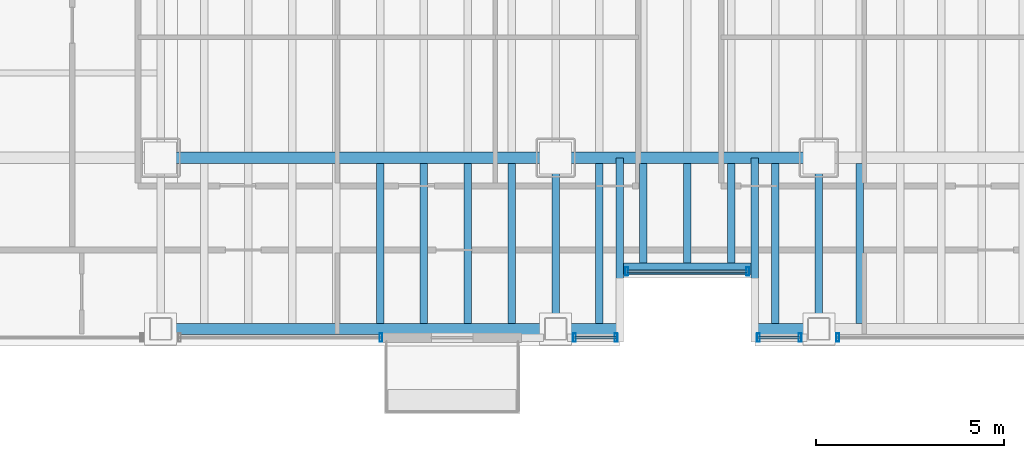
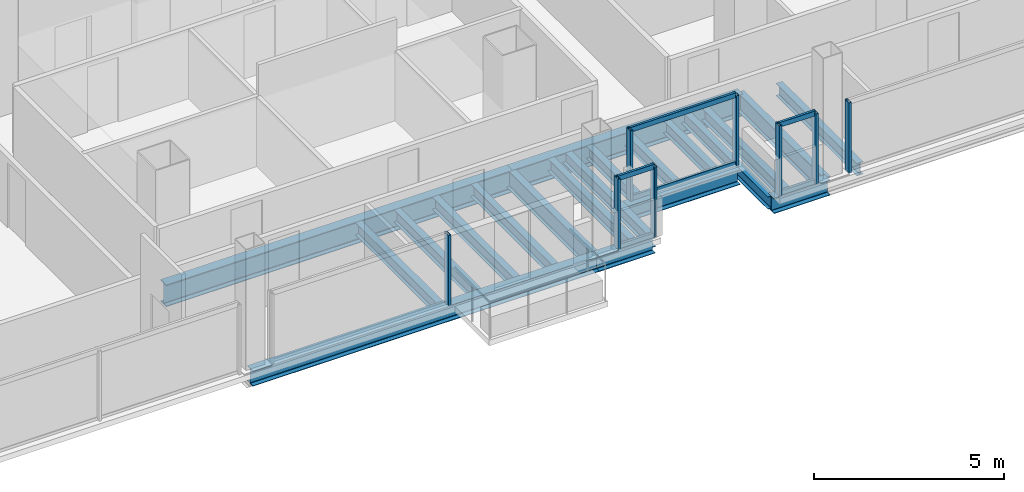
# One storey, part 4 of 21: 20 beams, 14 members, 5 elements without a shape of their own.
"""IFC4 building model written with IfcOpenShell, lengths in metres."""

import ifcopenshell
import ifcopenshell.guid

model = None  # the IFC model being written
_history = None  # IfcOwnerHistory: only IFC2X3 demands one
_inside = {}  # id of a spatial element -> (the spatial element, [elements in it])
_under = {}  # id of a project, library or spatial element -> (it, [spatial elements below it])
_declared = {}  # id of a project -> (the project, [libraries it declares])
_typed = {}  # id of a type object -> (the type object, [elements of that type])
_made_of = {}  # id of a material, layer set ... -> (it, [elements and type objects made of it])


def new_model(schema):
    """Start an empty IFC model of exactly this schema.

    Asked for "IFC4X3", IfcOpenShell would pick the latest addendum, in which some entities
    have other attributes; the version numbers below select the first issue.
    IFC2X3 requires an IfcOwnerHistory on every rooted entity: one is made here for all.
    """
    global model, _history
    if schema == "IFC4X3":
        model = ifcopenshell.file(schema_version=(4, 3, 0, 0))
    else:
        model = ifcopenshell.file(schema=schema)
    _inside.clear()
    _under.clear()
    _declared.clear()
    _typed.clear()
    _made_of.clear()
    _history = None
    if model.schema == "IFC2X3":
        org = make("IfcOrganization", Name="unknown")
        user = make(
            "IfcPersonAndOrganization",
            ThePerson=make("IfcPerson", FamilyName="unknown"),
            TheOrganization=org,
        )
        app = make(
            "IfcApplication",
            ApplicationDeveloper=org,
            Version="unknown",
            ApplicationFullName="unknown",
            ApplicationIdentifier="unknown",
        )
        _history = make(
            "IfcOwnerHistory",
            OwningUser=user,
            OwningApplication=app,
            ChangeAction="ADDED",
            CreationDate=0,
        )
    return model


def make(cls, **values):
    """One entity of the class cls with the attributes given. An attribute that is None is left unset."""
    return model.create_entity(
        cls, **{name: value for name, value in values.items() if value is not None}
    )


def rooted(cls, **values):
    """An entity with a GlobalId (a new one), such as an element, a storey or a relation."""
    return make(cls, GlobalId=ifcopenshell.guid.new(), OwnerHistory=_history, **values)


def si_unit(unit_type, name, prefix=None):
    """IfcSIUnit, for example si_unit("LENGTHUNIT", "METRE", prefix="MILLI")."""
    return make("IfcSIUnit", UnitType=unit_type, Prefix=prefix, Name=name)


def assignment(units):
    """IfcUnitAssignment: the units of a project."""
    return None if units is None else make("IfcUnitAssignment", Units=units)


def point(xyz):
    """IfcCartesianPoint."""
    return None if xyz is None else make("IfcCartesianPoint", Coordinates=xyz)


def direction(xyz):
    """IfcDirection."""
    return None if xyz is None else make("IfcDirection", DirectionRatios=xyz)


def frame(location, z_axis=None, x_axis=None):
    """IfcAxis2Placement3D, a coordinate frame: its origin and axes. An axis left out is left unset."""
    return make(
        "IfcAxis2Placement3D",
        Location=point(location),
        Axis=direction(z_axis),
        RefDirection=direction(x_axis),
    )


def frame_2d(location, x_axis=None):
    """IfcAxis2Placement2D, a coordinate frame in the plane: its origin and x axis."""
    return make(
        "IfcAxis2Placement2D", Location=point(location), RefDirection=direction(x_axis)
    )


def origin():
    """The frame at (0, 0, 0) with its axes left unset."""
    return frame((0.0, 0.0, 0.0))


def origin_2d():
    """The frame at (0, 0) in the plane with its x axis left unset."""
    return frame_2d((0.0, 0.0))


def place(relative_to, where):
    """IfcLocalPlacement: puts the frame where relative to a parent placement (None: the world)."""
    return make(
        "IfcLocalPlacement", PlacementRelTo=relative_to, RelativePlacement=where
    )


def context(
    kind, dimensions, precision=None, world=None, true_north=None, identifier=None
):
    """IfcGeometricRepresentationContext, for example the 3D "Model" context."""
    return make(
        "IfcGeometricRepresentationContext",
        ContextIdentifier=identifier,
        ContextType=kind,
        CoordinateSpaceDimension=dimensions,
        Precision=precision,
        WorldCoordinateSystem=world,
        TrueNorth=true_north,
    )


def subcontext(parent, identifier, kind, view, scale=None):
    """IfcGeometricRepresentationSubContext, for example "Body" below "Model"."""
    return make(
        "IfcGeometricRepresentationSubContext",
        ContextIdentifier=identifier,
        ContextType=kind,
        ParentContext=parent,
        TargetScale=scale,
        TargetView=view,
    )


def project(units=None, contexts=None):
    """IfcProject with its units and contexts."""
    return rooted(
        "IfcProject",
        Name="project",
        RepresentationContexts=contexts,
        UnitsInContext=assignment(units),
    )


def spatial(cls, under=None, at=None, **own):
    """A site, building, storey or space (cls), placed at a placement, below another one or the project."""
    s = rooted(cls, ObjectPlacement=at, **own)
    if under is not None:
        _under.setdefault(under.id(), (under, []))[1].append(s)
    return s


def profile(cls, at=None, kind="AREA", **sizes):
    """A parametric profile (cls). Its sizes go by their IFC names, for example OverallWidth=200.0."""
    return make(cls, ProfileType=kind, Position=at, **sizes)


def hollow_rectangle(**sizes):
    """IfcRectangleHollowProfileDef."""
    return profile("IfcRectangleHollowProfileDef", **sizes)


def i_section(**sizes):
    """IfcIShapeProfileDef."""
    return profile("IfcIShapeProfileDef", **sizes)


def extrude(swept, where, along, depth):
    """IfcExtrudedAreaSolid: the profile swept, set in the frame where, extruded along a direction by depth."""
    return make(
        "IfcExtrudedAreaSolid",
        SweptArea=swept,
        Position=where,
        ExtrudedDirection=direction(along),
        Depth=depth,
    )


def shape(context_of_items, identifier, shape_type, items):
    """IfcShapeRepresentation: the items that make up one representation, for example the "Body"."""
    return make(
        "IfcShapeRepresentation",
        ContextOfItems=context_of_items,
        RepresentationIdentifier=identifier,
        RepresentationType=shape_type,
        Items=items,
    )


def material(Name=None, Category=None):
    """IfcMaterial."""
    return make("IfcMaterial", Name=Name, Category=Category)


def material_profile(
    of_material, cross_section, Name=None, Category=None, Priority=None
):
    """IfcMaterialProfile: a cross section and its material."""
    return make(
        "IfcMaterialProfile",
        Name=Name,
        Material=of_material,
        Profile=cross_section,
        Priority=Priority,
        Category=Category,
    )


def profile_set(profiles, Name=None, composite=None):
    """IfcMaterialProfileSet."""
    return make(
        "IfcMaterialProfileSet",
        Name=Name,
        MaterialProfiles=profiles,
        CompositeProfile=composite,
    )


def made_of(thing, what):
    """Note that an element or type object is made of a material, layer set ...; save() writes the relation."""
    if what is not None:
        _made_of.setdefault(what.id(), (what, []))[1].append(thing)
    return thing


def type_object(cls, material=None, **own):
    """A type object (cls), such as IfcWallType, which elements share."""
    return made_of(rooted(cls, **own), material)


def element(
    cls,
    number,
    at=None,
    inside=None,
    cuts=None,
    type_object=None,
    material=None,
    context=None,
    identifier="Body",
    shape_type=None,
    held_by="IfcProductDefinitionShape",
    body=None,
    shapes=None,
    **own,
):
    """One element of the class cls, such as IfcWall. Its Tag is "e" and its number.

    at: its placement. inside: the storey or other place that contains it. cuts: it is an
    opening in that element (IfcRelVoidsElement). A single representation is given by context,
    identifier, shape_type and body (its items); several are given by shapes. held_by: the class
    of the entity that holds the representations. save() writes the other relations.
    """
    e = rooted(cls, Tag="e%d" % number, ObjectPlacement=at, **own)
    if body is not None:
        shapes = [shape(context, identifier, shape_type, body)]
    if shapes is not None:
        e.Representation = make(held_by, Representations=shapes)
    if inside is not None:
        _inside.setdefault(inside.id(), (inside, []))[1].append(e)
    if cuts is not None:
        rooted(
            "IfcRelVoidsElement", RelatingBuildingElement=cuts, RelatedOpeningElement=e
        )
    if type_object is not None:
        _typed.setdefault(type_object.id(), (type_object, []))[1].append(e)
    return made_of(e, material)


def aggregate(whole, parts):
    """IfcRelAggregates: a whole, such as a stair, and the parts it consists of."""
    return rooted("IfcRelAggregates", RelatingObject=whole, RelatedObjects=parts)


def save(model, path):
    """Write the relations noted so far, then the file.

    IfcRelAggregates (storeys below a building ...), IfcRelContainedInSpatialStructure (elements
    in a storey), IfcRelDefinesByType, IfcRelAssociatesMaterial and IfcRelDeclares: one each for
    every whole, place, type object, material and project.
    """
    for whole, parts in _under.values():
        aggregate(whole, parts)
    for where, things in _inside.values():
        rooted(
            "IfcRelContainedInSpatialStructure",
            RelatedElements=things,
            RelatingStructure=where,
        )
    for kind, things in _typed.values():
        rooted("IfcRelDefinesByType", RelatedObjects=things, RelatingType=kind)
    for what, things in _made_of.values():
        rooted("IfcRelAssociatesMaterial", RelatedObjects=things, RelatingMaterial=what)
    for by, libraries in _declared.values():
        rooted("IfcRelDeclares", RelatingContext=by, RelatedDefinitions=libraries)
    model.write(path)


model = new_model("IFC4")

# Units and contexts
model_context = context("Model", 3, precision=1e-05, world=origin(), true_north=direction((0.0, 1.0)))
body_context = subcontext(model_context, "Body", "Model", "MODEL_VIEW")
ifc_project = project(units=[si_unit("LENGTHUNIT", "METRE"), si_unit("AREAUNIT", "SQUARE_METRE"), si_unit("VOLUMEUNIT", "CUBIC_METRE"), si_unit("PLANEANGLEUNIT", "RADIAN"), si_unit("MASSUNIT", "GRAM", prefix="KILO")], contexts=[model_context])

# Site, building, storey
site_placement = place(None, origin())
site = spatial("IfcSite", under=ifc_project, at=site_placement, CompositionType="ELEMENT")
building_placement = place(site_placement, origin())
building = spatial("IfcBuilding", under=site, at=building_placement, Name="Noeulbin Bourse Tower", CompositionType="ELEMENT")
storey_placement = place(building_placement, frame((0.0, 0.0, 49.89990234375)))
storey = spatial("IfcBuildingStorey", under=building, at=storey_placement, Name="L12", CompositionType="ELEMENT", Elevation=49.89990234375)

# Beams
ifc_material_1 = material(Name="Steel S355", Category="steel")
ifc_material_profile_1 = material_profile(ifc_material_1, i_section(OverallWidth=0.199951171875, OverallDepth=0.60009765625, WebThickness=0.010986328125, FlangeThickness=0.01708984375, FilletRadius=0.02197265625, at=origin_2d()), Name="H-600x200x11x17", Category="LoadBearing")
ifc_profile_set_1 = profile_set([ifc_material_profile_1], Name="Steel S355")
beam_type_1 = type_object("IfcBeamType", Name="BM-GRD-600", PredefinedType="USERDEFINED", material=ifc_profile_set_1)
for number, where, z_axis, x_axis, name in (
    (1, (24.0, 15.449951171875, -0.47998046875), (0.0, 1.0, 0.0), (-1.0, 0.0, 0.0), "Tower Primary Girder NS L12-2.1"),
    (2, (31.0, 15.449951171875, -0.47998046875), (0.0, 1.0, 0.0), (-1.0, 0.0, 0.0), "Tower Primary Girder NS L12-3.1"),
):
    element("IfcBeam", number, at=place(storey_placement, frame(where, z_axis=z_axis, x_axis=x_axis)), inside=storey, type_object=beam_type_1, Name=name, ObjectType="GIRDER", PredefinedType="USERDEFINED", context=body_context, shape_type="SweptSolid", body=[
        extrude(i_section(OverallWidth=0.199951171875, OverallDepth=0.60009765625, WebThickness=0.010986328125, FlangeThickness=0.01708984375, FilletRadius=0.02197265625, at=origin_2d()), origin(), (0.0, 0.0, 1.0), 4.550048828125),
    ])
ifc_material_profile_2 = material_profile(ifc_material_1, i_section(OverallWidth=0.300048828125, OverallDepth=0.699951171875, WebThickness=0.012939453125, FlangeThickness=0.02392578125, FilletRadius=0.02392578125, at=origin_2d()), Name="H-700x300x13x24", Category="LoadBearing")
ifc_profile_set_2 = profile_set([ifc_material_profile_2], Name="Steel S355")
beam_type_2 = type_object("IfcBeamType", Name="BM-GRD-700", PredefinedType="USERDEFINED", material=ifc_profile_set_2)
beam_1_placement = place(storey_placement, frame((13.5, 20.0, -0.52978515625), z_axis=(1.0, 0.0, 0.0), x_axis=(0.0, 1.0, 0.0)))
element("IfcBeam", 3, at=beam_1_placement, inside=storey, type_object=beam_type_2, Name="Tower Primary Girder EW L12-1.2", ObjectType="GIRDER", PredefinedType="USERDEFINED", context=body_context, shape_type="SweptSolid", body=[
    extrude(i_section(OverallWidth=0.300048828125, OverallDepth=0.699951171875, WebThickness=0.012939453125, FlangeThickness=0.02392578125, FilletRadius=0.02392578125, at=origin_2d()), origin(), (0.0, 0.0, 1.0), 10.5),
])
beam_2_placement = place(storey_placement, frame((24.0, 20.0, -0.52978515625), z_axis=(1.0, 0.0, 0.0), x_axis=(0.0, 1.0, 0.0)))
element("IfcBeam", 4, at=beam_2_placement, inside=storey, type_object=beam_type_2, Name="Tower Primary Girder EW L12-1.3", ObjectType="GIRDER", PredefinedType="USERDEFINED", context=body_context, shape_type="SweptSolid", body=[
    extrude(i_section(OverallWidth=0.300048828125, OverallDepth=0.699951171875, WebThickness=0.012939453125, FlangeThickness=0.02392578125, FilletRadius=0.02392578125, at=origin_2d()), origin(), (0.0, 0.0, 1.0), 7.0),
])
ifc_material_profile_3 = material_profile(ifc_material_1, i_section(OverallWidth=0.199951171875, OverallDepth=0.39990234375, WebThickness=0.008056640625, FlangeThickness=0.012939453125, FilletRadius=0.01611328125, at=origin_2d()), Name="H-400x200x8x13", Category="LoadBearing")
ifc_profile_set_3 = profile_set([ifc_material_profile_3], Name="Steel S355")
beam_type_3 = type_object("IfcBeamType", Name="BM-SEC-400", PredefinedType="BEAM", material=ifc_profile_set_3)
for number, where, z_axis, x_axis, name in (
    (5, (25.699951171875, 15.449951171875, -0.3798828125), (0.0, 1.0, 0.0), (-1.0, 0.0, 0.0), "BM-L12-SRT-W"),
    (6, (29.300048828125, 15.449951171875, -0.3798828125), (0.0, 1.0, 0.0), (-1.0, 0.0, 0.0), "BM-L12-SRT-E"),
):
    element("IfcBeam", number, at=place(storey_placement, frame(where, z_axis=z_axis, x_axis=x_axis)), inside=storey, type_object=beam_type_3, Name=name, PredefinedType="BEAM", context=body_context, shape_type="SweptSolid", body=[
        extrude(i_section(OverallWidth=0.199951171875, OverallDepth=0.39990234375, WebThickness=0.008056640625, FlangeThickness=0.012939453125, FilletRadius=0.01611328125, at=origin_2d()), origin(), (0.0, 0.0, 1.0), 4.550048828125),
    ])
for number, where, z_axis, x_axis, name in (
    (7, (19.333251953125, 15.60009765625, -0.3798828125), (0.0, 1.0, 0.0), (-1.0, 0.0, 0.0), "Tower Composite Joist L12-13"),
    (8, (20.5, 15.60009765625, -0.3798828125), (0.0, 1.0, 0.0), (-1.0, 0.0, 0.0), "Tower Composite Joist L12-16"),
    (9, (21.666748046875, 15.60009765625, -0.3798828125), (0.0, 1.0, 0.0), (-1.0, 0.0, 0.0), "Tower Composite Joist L12-19"),
    (10, (22.833251953125, 15.60009765625, -0.3798828125), (0.0, 1.0, 0.0), (-1.0, 0.0, 0.0), "Tower Composite Joist L12-22"),
    (11, (25.166748046875, 15.60009765625, -0.3798828125), (0.0, 1.0, 0.0), (-1.0, 0.0, 0.0), "Tower Composite Joist L12-25"),
):
    element("IfcBeam", number, at=place(storey_placement, frame(where, z_axis=z_axis, x_axis=x_axis)), inside=storey, type_object=beam_type_3, Name=name, PredefinedType="BEAM", context=body_context, shape_type="SweptSolid", body=[
        extrude(i_section(OverallWidth=0.199951171875, OverallDepth=0.39990234375, WebThickness=0.008056640625, FlangeThickness=0.012939453125, FilletRadius=0.01611328125, at=origin_2d()), origin(), (0.0, 0.0, 1.0), 4.25),
    ])
for number, where, z_axis, x_axis, name in (
    (12, (26.333251953125, 17.199951171875, -0.3798828125), (0.0, 1.0, 0.0), (-1.0, 0.0, 0.0), "Tower Composite Joist L12-28"),
    (13, (27.5, 17.199951171875, -0.3798828125), (0.0, 1.0, 0.0), (-1.0, 0.0, 0.0), "Tower Composite Joist L12-31"),
    (14, (28.666748046875, 17.199951171875, -0.3798828125), (0.0, 1.0, 0.0), (-1.0, 0.0, 0.0), "Tower Composite Joist L12-34"),
):
    element("IfcBeam", number, at=place(storey_placement, frame(where, z_axis=z_axis, x_axis=x_axis)), inside=storey, type_object=beam_type_3, Name=name, PredefinedType="BEAM", context=body_context, shape_type="SweptSolid", body=[
        extrude(i_section(OverallWidth=0.199951171875, OverallDepth=0.39990234375, WebThickness=0.008056640625, FlangeThickness=0.012939453125, FilletRadius=0.01611328125, at=origin_2d()), origin(), (0.0, 0.0, 1.0), 2.650146484375),
    ])
for number, where, z_axis, x_axis, name in (
    (15, (29.833251953125, 15.60009765625, -0.3798828125), (0.0, 1.0, 0.0), (-1.0, 0.0, 0.0), "Tower Composite Joist L12-37"),
    (16, (32.083251953125, 15.60009765625, -0.3798828125), (0.0, 1.0, 0.0), (-1.0, 0.0, 0.0), "Tower Composite Joist L12-40"),
):
    element("IfcBeam", number, at=place(storey_placement, frame(where, z_axis=z_axis, x_axis=x_axis)), inside=storey, type_object=beam_type_3, Name=name, PredefinedType="BEAM", context=body_context, shape_type="SweptSolid", body=[
        extrude(i_section(OverallWidth=0.199951171875, OverallDepth=0.39990234375, WebThickness=0.008056640625, FlangeThickness=0.012939453125, FilletRadius=0.01611328125, at=origin_2d()), origin(), (0.0, 0.0, 1.0), 4.25),
    ])
ifc_material_profile_4 = material_profile(ifc_material_1, i_section(OverallWidth=0.300048828125, OverallDepth=0.488037109375, WebThickness=0.010986328125, FlangeThickness=0.01806640625, FilletRadius=0.02197265625, at=origin_2d()), Name="H-488x300x11x18", Category="LoadBearing")
ifc_profile_set_4 = profile_set([ifc_material_profile_4], Name="Steel S355")
beam_type_4 = type_object("IfcBeamType", Name="BM-SPN-488", PredefinedType="SPANDREL", material=ifc_profile_set_4)
beam_3_placement = place(storey_placement, frame((13.5, 15.449951171875, -0.423828125), z_axis=(1.0, 0.0, 0.0), x_axis=(0.0, 1.0, 0.0)))
element("IfcBeam", 17, at=beam_3_placement, inside=storey, type_object=beam_type_4, Name="South Spandrel L12-1", PredefinedType="SPANDREL", context=body_context, shape_type="SweptSolid", body=[
    extrude(i_section(OverallWidth=0.300048828125, OverallDepth=0.488037109375, WebThickness=0.010986328125, FlangeThickness=0.01806640625, FilletRadius=0.02197265625, at=origin_2d()), origin(), (0.0, 0.0, 1.0), 10.5),
])
beam_4_placement = place(storey_placement, frame((25.800048828125, 17.050048828125, -0.423828125), z_axis=(1.0, 0.0, 0.0), x_axis=(0.0, 1.0, 0.0)))
element("IfcBeam", 18, at=beam_4_placement, inside=storey, type_object=beam_type_4, Name="South Recess Spandrel L12-2B", PredefinedType="SPANDREL", context=body_context, shape_type="SweptSolid", body=[
    extrude(i_section(OverallWidth=0.300048828125, OverallDepth=0.488037109375, WebThickness=0.010986328125, FlangeThickness=0.01806640625, FilletRadius=0.02197265625, at=origin_2d()), origin(), (0.0, 0.0, 1.0), 3.39990234375),
])
for number, where, z_axis, x_axis, name in (
    (19, (24.0, 15.449951171875, -0.423828125), (1.0, 0.0, 0.0), (0.0, 1.0, 0.0), "South Spandrel L12-2A"),
    (20, (29.300048828125, 15.449951171875, -0.423828125), (1.0, 0.0, 0.0), (0.0, 1.0, 0.0), "South Spandrel L12-2C"),
):
    element("IfcBeam", number, at=place(storey_placement, frame(where, z_axis=z_axis, x_axis=x_axis)), inside=storey, type_object=beam_type_4, Name=name, PredefinedType="SPANDREL", context=body_context, shape_type="SweptSolid", body=[
        extrude(i_section(OverallWidth=0.300048828125, OverallDepth=0.488037109375, WebThickness=0.010986328125, FlangeThickness=0.01806640625, FilletRadius=0.02197265625, at=origin_2d()), origin(), (0.0, 0.0, 1.0), 1.699951171875),
    ])

# Curtain wall, members
ifc_material_2 = material(Name="Dark Solar-Control Double Glazing", Category="glass")
curtain_wall_type = type_object("IfcCurtainWallType", Name="CW-SYS-2", PredefinedType="NOTDEFINED", material=ifc_material_2)
curtain_wall_1_placement = place(storey_placement, origin())
curtain_wall_1 = element("IfcCurtainWall", 21, at=curtain_wall_1_placement, inside=storey, type_object=curtain_wall_type, Name="Unitised Curtain Wall CW-L12-SREC", PredefinedType="NOTDEFINED")
ifc_material_3 = material(Name="Anodised Aluminium 6063-T6", Category="aluminium")
ifc_material_profile_5 = material_profile(ifc_material_3, hollow_rectangle(XDim=0.074951171875, YDim=0.219970703125, WallThickness=0.0048828125, InnerFilletRadius=0.00244140625, OuterFilletRadius=0.0048828125, at=origin_2d()), Name="ALU-MULL-75x220x5", Category="LoadBearing")
ifc_profile_set_5 = profile_set([ifc_material_profile_5], Name="Anodised Aluminium 6063-T6")
member_type_1 = type_object("IfcMemberType", Name="CW-SYS-2-MUL", PredefinedType="MULLION", material=ifc_profile_set_5)
member_1_placement = place(storey_placement, frame((25.889892578125, 16.97998046875, -0.02001953125), z_axis=(0.0, 0.0, 1.0), x_axis=(1.0, 0.0, 0.0)))
member_1 = element("IfcMember", 22, at=member_1_placement, type_object=member_type_1, Name="Curtain Wall Mullion CW-L12-SREC-M00", PredefinedType="MULLION", context=body_context, shape_type="SweptSolid", body=[
    extrude(hollow_rectangle(XDim=0.074951171875, YDim=0.219970703125, WallThickness=0.0048828125, InnerFilletRadius=0.00244140625, OuterFilletRadius=0.0048828125, at=origin_2d()), origin(), (0.0, 0.0, 1.0), 2.260009765625),
])
member_2_placement = place(storey_placement, frame((29.110107421875, 16.97998046875, -0.02001953125), z_axis=(0.0, 0.0, 1.0), x_axis=(1.0, 0.0, 0.0)))
member_2 = element("IfcMember", 23, at=member_2_placement, type_object=member_type_1, Name="Curtain Wall Mullion CW-L12-SREC-M01", PredefinedType="MULLION", context=body_context, shape_type="SweptSolid", body=[
    extrude(hollow_rectangle(XDim=0.074951171875, YDim=0.219970703125, WallThickness=0.0048828125, InnerFilletRadius=0.00244140625, OuterFilletRadius=0.0048828125, at=origin_2d()), origin(), (0.0, 0.0, 1.0), 2.260009765625),
])

# Curtain wall, member
curtain_wall_2_placement = place(storey_placement, origin())
curtain_wall_2 = element("IfcCurtainWall", 24, at=curtain_wall_2_placement, inside=storey, type_object=curtain_wall_type, Name="Unitised Curtain Wall CW-L12-S1-S2", PredefinedType="NOTDEFINED")
member_3_placement = place(storey_placement, frame((19.360107421875, 15.219970703125, -0.02001953125), z_axis=(0.0, 0.0, 1.0), x_axis=(1.0, 0.0, 0.0)))
member_3 = element("IfcMember", 25, at=member_3_placement, type_object=member_type_1, Name="Curtain Wall Mullion CW-L12-S1-S2-M01", PredefinedType="MULLION", context=body_context, shape_type="SweptSolid", body=[
    extrude(hollow_rectangle(XDim=0.074951171875, YDim=0.219970703125, WallThickness=0.0048828125, InnerFilletRadius=0.00244140625, OuterFilletRadius=0.0048828125, at=origin_2d()), origin(), (0.0, 0.0, 1.0), 2.260009765625),
])
aggregate(curtain_wall_2, [member_3])

# Curtain wall, members
curtain_wall_3_placement = place(storey_placement, origin())
curtain_wall_3 = element("IfcCurtainWall", 26, at=curtain_wall_3_placement, inside=storey, type_object=curtain_wall_type, Name="Unitised Curtain Wall CW-L12-S2", PredefinedType="NOTDEFINED")
member_4_placement = place(storey_placement, frame((24.5, 15.219970703125, -0.02001953125), z_axis=(0.0, 0.0, 1.0), x_axis=(1.0, 0.0, 0.0)))
member_4 = element("IfcMember", 27, at=member_4_placement, type_object=member_type_1, Name="Curtain Wall Mullion CW-L12-S2-M00", PredefinedType="MULLION", context=body_context, shape_type="SweptSolid", body=[
    extrude(hollow_rectangle(XDim=0.074951171875, YDim=0.219970703125, WallThickness=0.0048828125, InnerFilletRadius=0.00244140625, OuterFilletRadius=0.0048828125, at=origin_2d()), origin(), (0.0, 0.0, 1.0), 2.260009765625),
])
member_5_placement = place(storey_placement, frame((25.610107421875, 15.219970703125, -0.02001953125), z_axis=(0.0, 0.0, 1.0), x_axis=(1.0, 0.0, 0.0)))
member_5 = element("IfcMember", 28, at=member_5_placement, type_object=member_type_1, Name="Curtain Wall Mullion CW-L12-S2-M01", PredefinedType="MULLION", context=body_context, shape_type="SweptSolid", body=[
    extrude(hollow_rectangle(XDim=0.074951171875, YDim=0.219970703125, WallThickness=0.0048828125, InnerFilletRadius=0.00244140625, OuterFilletRadius=0.0048828125, at=origin_2d()), origin(), (0.0, 0.0, 1.0), 2.260009765625),
])

curtain_wall_4_placement = place(storey_placement, origin())
curtain_wall_4 = element("IfcCurtainWall", 29, at=curtain_wall_4_placement, inside=storey, type_object=curtain_wall_type, Name="Unitised Curtain Wall CW-L12-S3-S1", PredefinedType="NOTDEFINED")
member_6_placement = place(storey_placement, frame((29.389892578125, 15.219970703125, -0.02001953125), z_axis=(0.0, 0.0, 1.0), x_axis=(1.0, 0.0, 0.0)))
member_6 = element("IfcMember", 30, at=member_6_placement, type_object=member_type_1, Name="Curtain Wall Mullion CW-L12-S3-S1-M00", PredefinedType="MULLION", context=body_context, shape_type="SweptSolid", body=[
    extrude(hollow_rectangle(XDim=0.074951171875, YDim=0.219970703125, WallThickness=0.0048828125, InnerFilletRadius=0.00244140625, OuterFilletRadius=0.0048828125, at=origin_2d()), origin(), (0.0, 0.0, 1.0), 2.260009765625),
])
member_7_placement = place(storey_placement, frame((30.5, 15.219970703125, -0.02001953125), z_axis=(0.0, 0.0, 1.0), x_axis=(1.0, 0.0, 0.0)))
member_7 = element("IfcMember", 31, at=member_7_placement, type_object=member_type_1, Name="Curtain Wall Mullion CW-L12-S3-S1-M01", PredefinedType="MULLION", context=body_context, shape_type="SweptSolid", body=[
    extrude(hollow_rectangle(XDim=0.074951171875, YDim=0.219970703125, WallThickness=0.0048828125, InnerFilletRadius=0.00244140625, OuterFilletRadius=0.0048828125, at=origin_2d()), origin(), (0.0, 0.0, 1.0), 2.260009765625),
])

# Curtain wall, member
curtain_wall_5_placement = place(storey_placement, origin())
curtain_wall_5 = element("IfcCurtainWall", 32, at=curtain_wall_5_placement, inside=storey, type_object=curtain_wall_type, Name="Unitised Curtain Wall CW-L12-S3-S2", PredefinedType="NOTDEFINED")
member_8_placement = place(storey_placement, frame((31.5, 15.219970703125, -0.02001953125), z_axis=(0.0, 0.0, 1.0), x_axis=(1.0, 0.0, 0.0)))
member_8 = element("IfcMember", 33, at=member_8_placement, type_object=member_type_1, Name="Curtain Wall Mullion CW-L12-S3-S2-M00", PredefinedType="MULLION", context=body_context, shape_type="SweptSolid", body=[
    extrude(hollow_rectangle(XDim=0.074951171875, YDim=0.219970703125, WallThickness=0.0048828125, InnerFilletRadius=0.00244140625, OuterFilletRadius=0.0048828125, at=origin_2d()), origin(), (0.0, 0.0, 1.0), 2.260009765625),
])
aggregate(curtain_wall_5, [member_8])

# Member
ifc_material_profile_6 = material_profile(ifc_material_3, hollow_rectangle(XDim=0.074951171875, YDim=0.159912109375, WallThickness=0.0048828125, InnerFilletRadius=0.00244140625, OuterFilletRadius=0.0048828125, at=origin_2d()), Name="ALU-TRAN-75x160x5", Category="LoadBearing")
ifc_profile_set_6 = profile_set([ifc_material_profile_6], Name="Anodised Aluminium 6063-T6")
member_type_2 = type_object("IfcMemberType", Name="CW-SYS-2-TRN", PredefinedType="USERDEFINED", material=ifc_profile_set_6)
member_9_placement = place(storey_placement, frame((25.89990234375, 16.97998046875, 0.010009765625), z_axis=(1.0, 0.0, 0.0), x_axis=(0.0, 1.0, 0.0)))
member_9 = element("IfcMember", 34, at=member_9_placement, type_object=member_type_2, Name="Curtain Wall Transom CW-L12-SREC-T00", ObjectType="TRANSOM", PredefinedType="USERDEFINED", context=body_context, shape_type="SweptSolid", body=[
    extrude(hollow_rectangle(XDim=0.074951171875, YDim=0.159912109375, WallThickness=0.0048828125, InnerFilletRadius=0.00244140625, OuterFilletRadius=0.0048828125, at=origin_2d()), origin(), (0.0, 0.0, 1.0), 3.2001953125),
])

member_10_placement = place(storey_placement, frame((25.89990234375, 16.97998046875, 2.210205078125), z_axis=(1.0, 0.0, 0.0), x_axis=(0.0, 1.0, 0.0)))
member_10 = element("IfcMember", 35, at=member_10_placement, type_object=member_type_2, Name="Curtain Wall Transom CW-L12-SREC-T01", ObjectType="TRANSOM", PredefinedType="USERDEFINED", context=body_context, shape_type="SweptSolid", body=[
    extrude(hollow_rectangle(XDim=0.074951171875, YDim=0.159912109375, WallThickness=0.0048828125, InnerFilletRadius=0.00244140625, OuterFilletRadius=0.0048828125, at=origin_2d()), origin(), (0.0, 0.0, 1.0), 3.2001953125),
])

aggregate(curtain_wall_1, [member_1, member_2, member_9, member_10])

member_11_placement = place(storey_placement, frame((24.510009765625, 15.219970703125, 0.010009765625), z_axis=(1.0, 0.0, 0.0), x_axis=(0.0, 1.0, 0.0)))
member_11 = element("IfcMember", 36, at=member_11_placement, type_object=member_type_2, Name="Curtain Wall Transom CW-L12-S2-T00", ObjectType="TRANSOM", PredefinedType="USERDEFINED", context=body_context, shape_type="SweptSolid", body=[
    extrude(hollow_rectangle(XDim=0.074951171875, YDim=0.159912109375, WallThickness=0.0048828125, InnerFilletRadius=0.00244140625, OuterFilletRadius=0.0048828125, at=origin_2d()), origin(), (0.0, 0.0, 1.0), 1.090087890625),
])

member_12_placement = place(storey_placement, frame((24.510009765625, 15.219970703125, 2.210205078125), z_axis=(1.0, 0.0, 0.0), x_axis=(0.0, 1.0, 0.0)))
member_12 = element("IfcMember", 37, at=member_12_placement, type_object=member_type_2, Name="Curtain Wall Transom CW-L12-S2-T01", ObjectType="TRANSOM", PredefinedType="USERDEFINED", context=body_context, shape_type="SweptSolid", body=[
    extrude(hollow_rectangle(XDim=0.074951171875, YDim=0.159912109375, WallThickness=0.0048828125, InnerFilletRadius=0.00244140625, OuterFilletRadius=0.0048828125, at=origin_2d()), origin(), (0.0, 0.0, 1.0), 1.090087890625),
])

aggregate(curtain_wall_3, [member_4, member_5, member_11, member_12])

member_13_placement = place(storey_placement, frame((29.39990234375, 15.219970703125, 0.010009765625), z_axis=(1.0, 0.0, 0.0), x_axis=(0.0, 1.0, 0.0)))
member_13 = element("IfcMember", 38, at=member_13_placement, type_object=member_type_2, Name="Curtain Wall Transom CW-L12-S3-S1-T00", ObjectType="TRANSOM", PredefinedType="USERDEFINED", context=body_context, shape_type="SweptSolid", body=[
    extrude(hollow_rectangle(XDim=0.074951171875, YDim=0.159912109375, WallThickness=0.0048828125, InnerFilletRadius=0.00244140625, OuterFilletRadius=0.0048828125, at=origin_2d()), origin(), (0.0, 0.0, 1.0), 1.090087890625),
])

member_14_placement = place(storey_placement, frame((29.39990234375, 15.219970703125, 2.210205078125), z_axis=(1.0, 0.0, 0.0), x_axis=(0.0, 1.0, 0.0)))
member_14 = element("IfcMember", 39, at=member_14_placement, type_object=member_type_2, Name="Curtain Wall Transom CW-L12-S3-S1-T01", ObjectType="TRANSOM", PredefinedType="USERDEFINED", context=body_context, shape_type="SweptSolid", body=[
    extrude(hollow_rectangle(XDim=0.074951171875, YDim=0.159912109375, WallThickness=0.0048828125, InnerFilletRadius=0.00244140625, OuterFilletRadius=0.0048828125, at=origin_2d()), origin(), (0.0, 0.0, 1.0), 1.090087890625),
])

aggregate(curtain_wall_4, [member_6, member_7, member_13, member_14])

save(model, "model.ifc")
